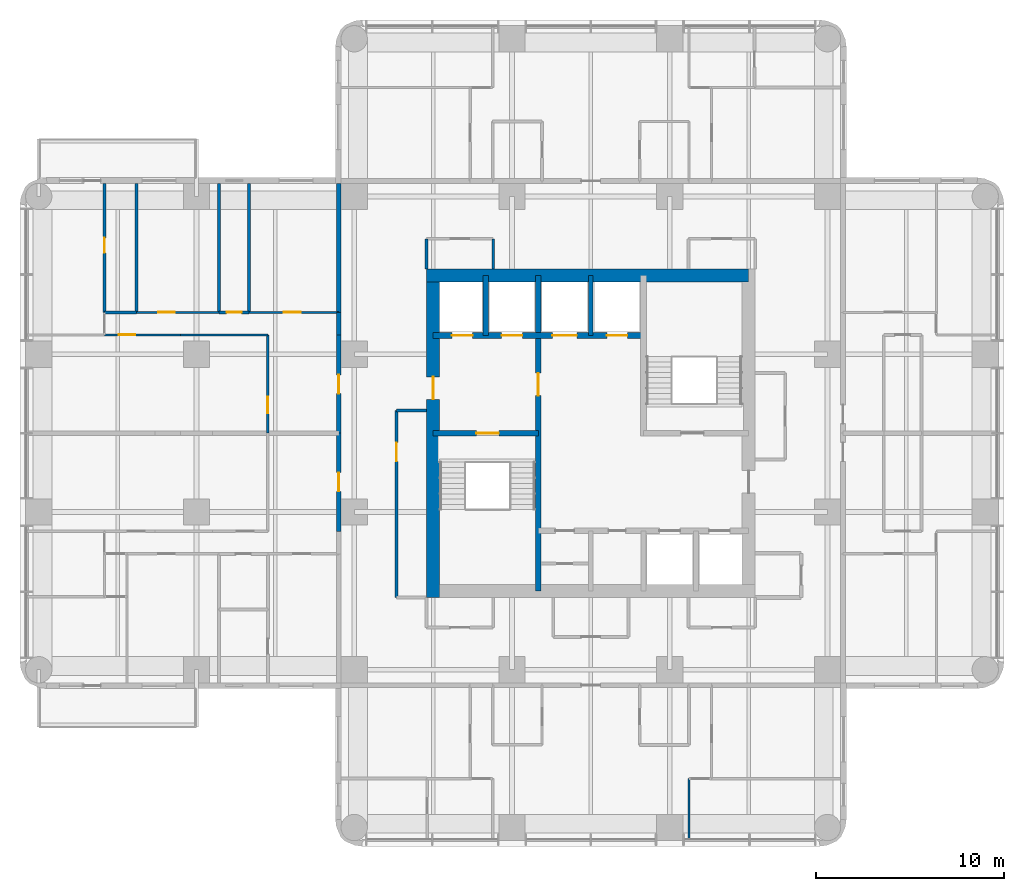
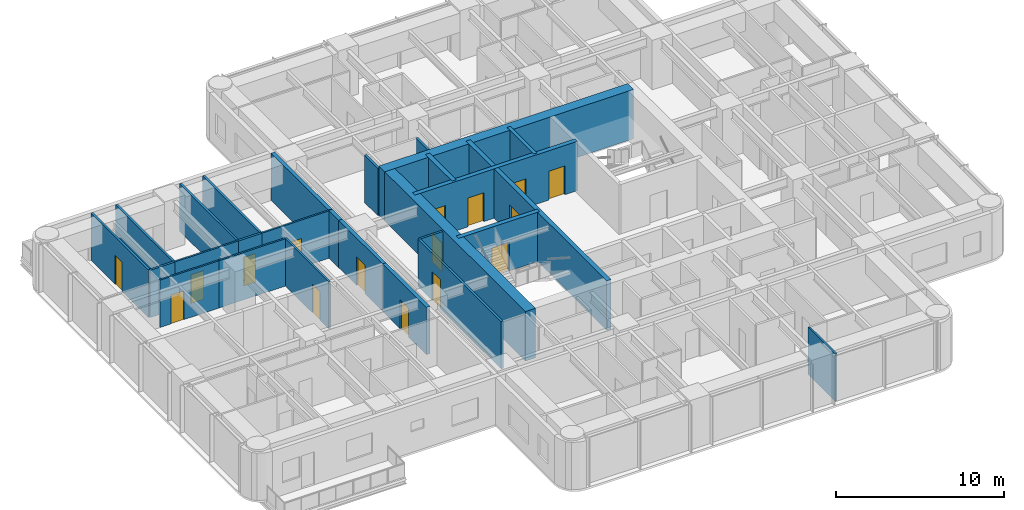
# One storey, part 6 of 11: 27 walls, 16 doors, 16 openings.
"""IFC4 building model written with IfcOpenShell, lengths in metres."""

from ifc_helpers import new_model, si_unit, direction, frame, frame_2d, origin, place, context, subcontext, project, spatial, rectangle, extrude, material, layer, layer_set, type_object, element, fill, save


model = new_model("IFC4")

# Units and contexts
model_context = context("Model", 3, precision=1e-05, world=origin(), true_north=direction((0.0, 1.0)))
body_context = subcontext(model_context, "Body", "Model", "MODEL_VIEW")
ifc_project = project(units=[si_unit("LENGTHUNIT", "METRE"), si_unit("AREAUNIT", "SQUARE_METRE"), si_unit("VOLUMEUNIT", "CUBIC_METRE"), si_unit("PLANEANGLEUNIT", "RADIAN"), si_unit("MASSUNIT", "GRAM", prefix="KILO")], contexts=[model_context])

# Site, building, storey
site_placement = place(None, origin())
site = spatial("IfcSite", under=ifc_project, at=site_placement, CompositionType="ELEMENT")
building_placement = place(site_placement, origin())
building = spatial("IfcBuilding", under=site, at=building_placement, Name="Torre Alcanfor", CompositionType="ELEMENT")
storey_placement = place(building_placement, frame((0.0, 0.0, 197.699951171875)))
storey = spatial("IfcBuildingStorey", under=building, at=storey_placement, Name="L51", CompositionType="ELEMENT", Elevation=197.699951171875)

# Wall, opening, door
ifc_material_1 = material(Name="Concrete block masonry, hollow blocks NMX-C-404 9 MPa", Category="masonry")
ifc_layer_1 = layer(ifc_material_1, 0.25)
ifc_layer_set_1 = layer_set([ifc_layer_1], Name="Apartment entrance wall 250 EI 60")
wall_type_1 = type_object("IfcWallType", Name="Apartment entrance wall 250 EI 60", PredefinedType="PARTITIONING", material=ifc_layer_set_1)
wall_1_placement = place(storey_placement, frame((15.97509765625, 24.1708984375, 0.0), z_axis=(0.0, 0.0, 1.0), x_axis=(0.0, 1.0, 0.0)))
wall_1 = element("IfcWall", 1, at=wall_1_placement, inside=storey, type_object=wall_type_1, Name="Partition L51-CORR / L51-W1-ZAG", PredefinedType="PARTITIONING", context=body_context, shape_type="SweptSolid", body=[
    extrude(rectangle(XDim=5.22900390625, YDim=0.25, at=frame_2d((2.614501953125, 0.0))), origin(), (0.0, 0.0, 1.0), 3.449951171875),
])
opening_1_placement = place(wall_1_placement, frame((2.12890625, 0.0, 0.0)))
opening_1 = element("IfcOpeningElement", 2, at=opening_1_placement, cuts=wall_1, Name="Opening D-A1", PredefinedType="OPENING", context=body_context, shape_type="SweptSolid", body=[
    extrude(rectangle(XDim=1.0, YDim=2.10009765625, at=frame_2d((0.5, 1.050048828125))), frame((0.0, 0.135009765625, 0.0), z_axis=(0.0, -1.0, 0.0), x_axis=(1.0, 0.0, 0.0)), (0.0, 0.0, 1.0), 0.27001953125),
])
ifc_material_2 = material(Name="Galvanised steel sheet ASTM A653", Category="steel")
door_type_1 = type_object("IfcDoorType", Name="Apartment entrance door FD60 1000x2100", OperationType="SINGLE_SWING_LEFT", PredefinedType="DOOR", material=ifc_material_2)
door_1_placement = place(opening_1_placement, origin())
door_1 = element("IfcDoor", 3, at=door_1_placement, inside=storey, type_object=door_type_1, Name="Apartment entrance L51-W1", OperationType="SINGLE_SWING_RIGHT", OverallHeight=2.10009765625, OverallWidth=1.0, PredefinedType="DOOR", context=body_context, shape_type="SweptSolid", body=[
    extrude(rectangle(XDim=1.0, YDim=2.10009765625, at=frame_2d((0.5, 1.050048828125))), frame((0.0, 0.02490234375, 0.0), z_axis=(0.0, -1.0, 0.0), x_axis=(1.0, 0.0, 0.0)), (0.0, 0.0, 1.0), 0.050048828125),
])
fill(opening_1, door_1)

wall_2_placement = place(storey_placement, frame((15.97509765625, 29.39990234375, 0.0), z_axis=(0.0, 0.0, 1.0), x_axis=(0.0, 1.0, 0.0)))
wall_2 = element("IfcWall", 4, at=wall_2_placement, inside=storey, type_object=wall_type_1, Name="Partition L51-CORR / L51-W2-ZAG", PredefinedType="PARTITIONING", context=body_context, shape_type="SweptSolid", body=[
    extrude(rectangle(XDim=5.22900390625, YDim=0.25, at=frame_2d((2.614501953125, 0.0))), origin(), (0.0, 0.0, 1.0), 3.449951171875),
])
opening_2_placement = place(wall_2_placement, frame((2.10009765625, 0.0, 0.0)))
opening_2 = element("IfcOpeningElement", 5, at=opening_2_placement, cuts=wall_2, Name="Opening D-A1", PredefinedType="OPENING", context=body_context, shape_type="SweptSolid", body=[
    extrude(rectangle(XDim=1.0, YDim=2.10009765625, at=frame_2d((0.5, 1.050048828125))), frame((0.0, 0.135009765625, 0.0), z_axis=(0.0, -1.0, 0.0), x_axis=(1.0, 0.0, 0.0)), (0.0, 0.0, 1.0), 0.27001953125),
])
door_2_placement = place(opening_2_placement, origin())
door_2 = element("IfcDoor", 6, at=door_2_placement, inside=storey, type_object=door_type_1, Name="Apartment entrance L51-W2", OperationType="SINGLE_SWING_LEFT", OverallHeight=2.10009765625, OverallWidth=1.0, PredefinedType="DOOR", context=body_context, shape_type="SweptSolid", body=[
    extrude(rectangle(XDim=1.0, YDim=2.10009765625, at=frame_2d((0.5, 1.050048828125))), frame((0.0, 0.02490234375, 0.0), z_axis=(0.0, -1.0, 0.0), x_axis=(1.0, 0.0, 0.0)), (0.0, 0.0, 1.0), 0.050048828125),
])
fill(opening_2, door_2)

# Walls
wall_3_placement = place(storey_placement, frame((15.97509765625, 34.62890625, 0.0), z_axis=(0.0, 0.0, 1.0), x_axis=(0.0, 1.0, 0.0)))
element("IfcWall", 7, at=wall_3_placement, inside=storey, type_object=wall_type_1, Name="Partition L51-CORR / L51-W2-HALL", PredefinedType="PARTITIONING", context=body_context, shape_type="SweptSolid", body=[
    extrude(rectangle(XDim=1.2001953125, YDim=0.25, at=frame_2d((0.60009765625, 0.0))), origin(), (0.0, 0.0, 1.0), 3.449951171875),
])
wall_4_placement = place(storey_placement, frame((15.97509765625, 35.8291015625, 0.0), z_axis=(0.0, 0.0, 1.0), x_axis=(0.0, 1.0, 0.0)))
element("IfcWall", 8, at=wall_4_placement, inside=storey, type_object=wall_type_1, Name="Partition L51-CORR / L51-W2-BED3", PredefinedType="PARTITIONING", context=body_context, shape_type="SweptSolid", body=[
    extrude(rectangle(XDim=6.870849609375, YDim=0.25, at=frame_2d((3.435546875, 0.0))), origin(), (0.0, 0.0, 1.0), 3.449951171875),
])
ifc_material_3 = material(Name="Gypsum board on steel studs", Category="steel")
ifc_layer_2 = layer(ifc_material_3, 0.1201171875)
ifc_layer_set_2 = layer_set([ifc_layer_2], Name="Apartment partition 120")
wall_type_2 = type_object("IfcWallType", Name="Apartment partition 120", PredefinedType="PARTITIONING", material=ifc_layer_set_2)
wall_5_placement = place(storey_placement, frame((34.62890625, 11.0, 0.0), z_axis=(0.0, 0.0, 1.0), x_axis=(0.0, -1.0, 0.0)))
element("IfcWall", 9, at=wall_5_placement, inside=storey, type_object=wall_type_2, Name="Partition L51-SX-LIVING / L51-SX-MASTER", PredefinedType="PARTITIONING", context=body_context, shape_type="SweptSolid", body=[
    extrude(rectangle(XDim=3.25, YDim=0.1201171875, at=frame_2d((1.625, 0.0))), origin(), (0.0, 0.0, 1.0), 3.449951171875),
])

# Wall, opening, door
wall_6_placement = place(storey_placement, frame((12.199951171875, 29.39990234375, 0.0), z_axis=(0.0, 0.0, 1.0), x_axis=(0.0, 1.0, 0.0)))
wall_6 = element("IfcWall", 10, at=wall_6_placement, inside=storey, type_object=wall_type_2, Name="Partition L51-W2-ZAG / L51-W2-KITCHEN", PredefinedType="PARTITIONING", context=body_context, shape_type="SweptSolid", body=[
    extrude(rectangle(XDim=5.22900390625, YDim=0.1201171875, at=frame_2d((2.614501953125, 0.0))), origin(), (0.0, 0.0, 1.0), 3.449951171875),
])
opening_3_placement = place(wall_6_placement, frame((1.050048828125, 0.0, 0.0)))
opening_3 = element("IfcOpeningElement", 11, at=opening_3_placement, cuts=wall_6, Name="Opening D-R1", PredefinedType="OPENING", context=body_context, shape_type="SweptSolid", body=[
    extrude(rectangle(XDim=0.89990234375, YDim=2.10009765625, at=frame_2d((0.449951171875, 1.050048828125))), frame((0.0, 0.070068359375, 0.0), z_axis=(0.0, -1.0, 0.0), x_axis=(1.0, 0.0, 0.0)), (0.0, 0.0, 1.0), 0.14013671875),
])
ifc_material_4 = material(Name="Timber", Category="wood")
door_type_2 = type_object("IfcDoorType", Name="Internal door 900x2100", OperationType="SINGLE_SWING_LEFT", PredefinedType="DOOR", material=ifc_material_4)
door_3_placement = place(opening_3_placement, origin())
door_3 = element("IfcDoor", 12, at=door_3_placement, inside=storey, type_object=door_type_2, Name="Door L51-W2 kitchen", OperationType="SINGLE_SWING_LEFT", OverallHeight=2.10009765625, OverallWidth=0.89990234375, PredefinedType="DOOR", context=body_context, shape_type="SweptSolid", body=[
    extrude(rectangle(XDim=0.89990234375, YDim=2.10009765625, at=frame_2d((0.449951171875, 1.050048828125))), frame((0.0, 0.02490234375, 0.0), z_axis=(0.0, -1.0, 0.0), x_axis=(1.0, 0.0, 0.0)), (0.0, 0.0, 1.0), 0.050048828125),
])
fill(opening_3, door_3)

# Wall
wall_7_placement = place(storey_placement, frame((7.550048828125, 34.62890625, 0.0), z_axis=(0.0, 0.0, 1.0), x_axis=(1.0, 0.0, 0.0)))
element("IfcWall", 13, at=wall_7_placement, inside=storey, type_object=wall_type_2, Name="Partition L51-W2-KITCHEN / L51-W2-HALL", PredefinedType="PARTITIONING", context=body_context, shape_type="SweptSolid", body=[
    extrude(rectangle(XDim=4.64990234375, YDim=0.1201171875, at=frame_2d((2.324951171875, 0.0))), origin(), (0.0, 0.0, 1.0), 3.449951171875),
])

# Wall, opening, door
wall_8_placement = place(storey_placement, frame((3.5, 34.62890625, 0.0), z_axis=(0.0, 0.0, 1.0), x_axis=(1.0, 0.0, 0.0)))
wall_8 = element("IfcWall", 14, at=wall_8_placement, inside=storey, type_object=wall_type_2, Name="Partition L51-W2-LIVING / L51-W2-HALL", PredefinedType="PARTITIONING", context=body_context, shape_type="SweptSolid", body=[
    extrude(rectangle(XDim=4.050048828125, YDim=0.1201171875, at=frame_2d((2.02490234375, 0.0))), origin(), (0.0, 0.0, 1.0), 3.449951171875),
])
opening_4_placement = place(wall_8_placement, frame((0.75, 0.0, 0.0)))
opening_4 = element("IfcOpeningElement", 15, at=opening_4_placement, cuts=wall_8, Name="Opening D-R1", PredefinedType="OPENING", context=body_context, shape_type="SweptSolid", body=[
    extrude(rectangle(XDim=0.89990234375, YDim=2.10009765625, at=frame_2d((0.449951171875, 1.050048828125))), frame((0.0, 0.070068359375, 0.0), z_axis=(0.0, -1.0, 0.0), x_axis=(1.0, 0.0, 0.0)), (0.0, 0.0, 1.0), 0.14013671875),
])
door_4_placement = place(opening_4_placement, frame((0.89990234375, 0.0, 0.0), z_axis=(0.0, 0.0, 1.0), x_axis=(-1.0, 0.0, 0.0)))
door_4 = element("IfcDoor", 16, at=door_4_placement, inside=storey, type_object=door_type_2, Name="Door L51-W2 living", OperationType="SINGLE_SWING_LEFT", OverallHeight=2.10009765625, OverallWidth=0.89990234375, PredefinedType="DOOR", context=body_context, shape_type="SweptSolid", body=[
    extrude(rectangle(XDim=0.89990234375, YDim=2.10009765625, at=frame_2d((0.449951171875, 1.050048828125))), frame((0.0, 0.025146484375, 0.0), z_axis=(0.0, -1.0, 0.0), x_axis=(1.0, 0.0, 0.0)), (0.0, 0.0, 1.0), 0.050048828125),
])
fill(opening_4, door_4)

wall_9_placement = place(storey_placement, frame((11.199951171875, 35.8291015625, 0.0), z_axis=(0.0, 0.0, 1.0), x_axis=(1.0, 0.0, 0.0)))
wall_9 = element("IfcWall", 17, at=wall_9_placement, inside=storey, type_object=wall_type_2, Name="Partition L51-W2-HALL / L51-W2-BED3", PredefinedType="PARTITIONING", context=body_context, shape_type="SweptSolid", body=[
    extrude(rectangle(XDim=4.775146484375, YDim=0.1201171875, at=frame_2d((2.3876953125, 0.0))), origin(), (0.0, 0.0, 1.0), 3.449951171875),
])
opening_5_placement = place(wall_9_placement, frame((1.85009765625, 0.0, 0.0)))
opening_5 = element("IfcOpeningElement", 18, at=opening_5_placement, cuts=wall_9, Name="Opening D-R1", PredefinedType="OPENING", context=body_context, shape_type="SweptSolid", body=[
    extrude(rectangle(XDim=0.89990234375, YDim=2.10009765625, at=frame_2d((0.449951171875, 1.050048828125))), frame((0.0, 0.070068359375, 0.0), z_axis=(0.0, -1.0, 0.0), x_axis=(1.0, 0.0, 0.0)), (0.0, 0.0, 1.0), 0.14013671875),
])
door_5_placement = place(opening_5_placement, origin())
door_5 = element("IfcDoor", 19, at=door_5_placement, inside=storey, type_object=door_type_2, Name="Door L51-W2 bed3", OperationType="SINGLE_SWING_LEFT", OverallHeight=2.10009765625, OverallWidth=0.89990234375, PredefinedType="DOOR", context=body_context, shape_type="SweptSolid", body=[
    extrude(rectangle(XDim=0.89990234375, YDim=2.10009765625, at=frame_2d((0.449951171875, 1.050048828125))), frame((0.0, 0.02490234375, 0.0), z_axis=(0.0, -1.0, 0.0), x_axis=(1.0, 0.0, 0.0)), (0.0, 0.0, 1.0), 0.050048828125),
])
fill(opening_5, door_5)

wall_10_placement = place(storey_placement, frame((5.199951171875, 35.8291015625, 0.0), z_axis=(0.0, 0.0, 1.0), x_axis=(1.0, 0.0, 0.0)))
wall_10 = element("IfcWall", 20, at=wall_10_placement, inside=storey, type_object=wall_type_2, Name="Partition L51-W2-HALL / L51-W2-BED2", PredefinedType="PARTITIONING", context=body_context, shape_type="SweptSolid", body=[
    extrude(rectangle(XDim=4.400146484375, YDim=0.1201171875, at=frame_2d((2.2001953125, 0.0))), origin(), (0.0, 0.0, 1.0), 3.449951171875),
])
opening_6_placement = place(wall_10_placement, frame((1.14990234375, 0.0, 0.0)))
opening_6 = element("IfcOpeningElement", 21, at=opening_6_placement, cuts=wall_10, Name="Opening D-R1", PredefinedType="OPENING", context=body_context, shape_type="SweptSolid", body=[
    extrude(rectangle(XDim=0.89990234375, YDim=2.10009765625, at=frame_2d((0.449951171875, 1.050048828125))), frame((0.0, 0.070068359375, 0.0), z_axis=(0.0, -1.0, 0.0), x_axis=(1.0, 0.0, 0.0)), (0.0, 0.0, 1.0), 0.14013671875),
])
door_6_placement = place(opening_6_placement, origin())
door_6 = element("IfcDoor", 22, at=door_6_placement, inside=storey, type_object=door_type_2, Name="Door L51-W2 bed2", OperationType="SINGLE_SWING_LEFT", OverallHeight=2.10009765625, OverallWidth=0.89990234375, PredefinedType="DOOR", context=body_context, shape_type="SweptSolid", body=[
    extrude(rectangle(XDim=0.89990234375, YDim=2.10009765625, at=frame_2d((0.449951171875, 1.050048828125))), frame((0.0, 0.02490234375, 0.0), z_axis=(0.0, -1.0, 0.0), x_axis=(1.0, 0.0, 0.0)), (0.0, 0.0, 1.0), 0.050048828125),
])
fill(opening_6, door_6)

ifc_material_5 = material(Name="Concrete f'c 70 MPa", Category="concrete")
ifc_layer_3 = layer(ifc_material_5, 0.300048828125)
ifc_layer_set_3 = layer_set([ifc_layer_3], Name="Core inner wall 300 f'c70")
wall_type_3 = type_object("IfcWallType", Name="Core inner wall 300 f'c70", PredefinedType="SHEAR", material=ifc_layer_set_3)
wall_11_placement = place(storey_placement, frame((26.60009765625, 21.0, 0.0), z_axis=(0.0, 0.0, 1.0), x_axis=(0.0, 1.0, 0.0)))
wall_11 = element("IfcWall", 23, at=wall_11_placement, inside=storey, type_object=wall_type_3, Name="Core wall X266 L51", PredefinedType="SHEAR", context=body_context, shape_type="SweptSolid", body=[
    extrude(rectangle(XDim=16.800048828125, YDim=0.300048828125, at=frame_2d((8.39990234375, 0.0))), origin(), (0.0, 0.0, 1.0), 3.60009765625),
])
opening_7_placement = place(wall_11_placement, frame((10.39990234375, 0.0, 0.0)))
opening_7 = element("IfcOpeningElement", 24, at=opening_7_placement, cuts=wall_11, Name="Opening D-L1", PredefinedType="OPENING", context=body_context, shape_type="SweptSolid", body=[
    extrude(rectangle(XDim=1.199951171875, YDim=2.10009765625, at=frame_2d((0.60009765625, 1.050048828125))), frame((0.0, 0.159912109375, 0.0), z_axis=(0.0, -1.0, 0.0), x_axis=(1.0, 0.0, 0.0)), (0.0, 0.0, 1.0), 0.320068359375),
])
ifc_material_6 = material(Name="Galvanised steel sheet ASTM A653", Category="steel")
door_type_3 = type_object("IfcDoorType", Name="Lobby door FD120 1200x2100", OperationType="SINGLE_SWING_LEFT", PredefinedType="DOOR", material=ifc_material_6)
door_7_placement = place(opening_7_placement, origin())
door_7 = element("IfcDoor", 25, at=door_7_placement, inside=storey, type_object=door_type_3, Name="Lift lobby door L51", OperationType="SINGLE_SWING_LEFT", OverallHeight=2.10009765625, OverallWidth=1.199951171875, PredefinedType="DOOR", context=body_context, shape_type="SweptSolid", body=[
    extrude(rectangle(XDim=1.199951171875, YDim=2.10009765625, at=frame_2d((0.60009765625, 1.050048828125))), frame((0.0, 0.02490234375, 0.0), z_axis=(0.0, -1.0, 0.0), x_axis=(1.0, 0.0, 0.0)), (0.0, 0.0, 1.0), 0.050048828125),
])
fill(opening_7, door_7)

wall_12_placement = place(storey_placement, frame((21.0, 29.39990234375, 0.0), z_axis=(0.0, 0.0, 1.0), x_axis=(1.0, 0.0, 0.0)))
wall_12 = element("IfcWall", 26, at=wall_12_placement, inside=storey, type_object=wall_type_3, Name="Core wall Y294W L51", PredefinedType="SHEAR", context=body_context, shape_type="SweptSolid", body=[
    extrude(rectangle(XDim=5.60009765625, YDim=0.300048828125, at=frame_2d((2.800048828125, 0.0))), origin(), (0.0, 0.0, 1.0), 3.60009765625),
])
opening_8_placement = place(wall_12_placement, frame((2.300048828125, 0.0, 0.0)))
opening_8 = element("IfcOpeningElement", 27, at=opening_8_placement, cuts=wall_12, Name="Opening D-S2", PredefinedType="OPENING", context=body_context, shape_type="SweptSolid", body=[
    extrude(rectangle(XDim=1.199951171875, YDim=2.10009765625, at=frame_2d((0.60009765625, 1.050048828125))), frame((0.0, 0.159912109375, 0.0), z_axis=(0.0, -1.0, 0.0), x_axis=(1.0, 0.0, 0.0)), (0.0, 0.0, 1.0), 0.320068359375),
])
ifc_material_7 = material(Name="Galvanised steel sheet ASTM A653", Category="steel")
door_type_4 = type_object("IfcDoorType", Name="Stair enclosure door FD120 1200x2100", OperationType="SINGLE_SWING_LEFT", PredefinedType="DOOR", material=ifc_material_7)
door_8_placement = place(opening_8_placement, frame((1.199951171875, 0.0, 0.0), z_axis=(0.0, 0.0, 1.0), x_axis=(-1.0, 0.0, 0.0)))
door_8 = element("IfcDoor", 28, at=door_8_placement, inside=storey, type_object=door_type_4, Name="Stair S1 door L51", OperationType="SINGLE_SWING_LEFT", OverallHeight=2.10009765625, OverallWidth=1.199951171875, PredefinedType="DOOR", context=body_context, shape_type="SweptSolid", body=[
    extrude(rectangle(XDim=1.199951171875, YDim=2.10009765625, at=frame_2d((0.599853515625, 1.050048828125))), frame((0.0, 0.025146484375, 0.0), z_axis=(0.0, -1.0, 0.0), x_axis=(1.0, 0.0, 0.0)), (0.0, 0.0, 1.0), 0.050048828125),
])
fill(opening_8, door_8)

# Wall, openings, doors
wall_13_placement = place(storey_placement, frame((21.0, 34.60009765625, 0.0), z_axis=(0.0, 0.0, 1.0), x_axis=(1.0, 0.0, 0.0)))
wall_13 = element("IfcWall", 29, at=wall_13_placement, inside=storey, type_object=wall_type_3, Name="Core wall Y346 L51", PredefinedType="SHEAR", context=body_context, shape_type="SweptSolid", body=[
    extrude(rectangle(XDim=11.199951171875, YDim=0.300048828125, at=frame_2d((5.60009765625, 0.0))), origin(), (0.0, 0.0, 1.0), 3.60009765625),
])
opening_9_placement = place(wall_13_placement, frame((9.25, 0.0, 0.0)))
opening_9 = element("IfcOpeningElement", 30, at=opening_9_placement, cuts=wall_13, Name="Opening LD1", PredefinedType="OPENING", context=body_context, shape_type="SweptSolid", body=[
    extrude(rectangle(XDim=1.10009765625, YDim=2.10009765625, at=frame_2d((0.550048828125, 1.050048828125))), frame((0.0, 0.159912109375, 0.0), z_axis=(0.0, -1.0, 0.0), x_axis=(1.0, 0.0, 0.0)), (0.0, 0.0, 1.0), 0.320068359375),
])
opening_10_placement = place(wall_13_placement, frame((1.0, 0.0, 0.0)))
opening_10 = element("IfcOpeningElement", 31, at=opening_10_placement, cuts=wall_13, Name="Opening LD2", PredefinedType="OPENING", context=body_context, shape_type="SweptSolid", body=[
    extrude(rectangle(XDim=1.10009765625, YDim=2.10009765625, at=frame_2d((0.550048828125, 1.050048828125))), frame((0.0, 0.159912109375, 0.0), z_axis=(0.0, -1.0, 0.0), x_axis=(1.0, 0.0, 0.0)), (0.0, 0.0, 1.0), 0.320068359375),
])
opening_11_placement = place(wall_13_placement, frame((3.64990234375, 0.0, 0.0)))
opening_11 = element("IfcOpeningElement", 32, at=opening_11_placement, cuts=wall_13, Name="Opening LD2", PredefinedType="OPENING", context=body_context, shape_type="SweptSolid", body=[
    extrude(rectangle(XDim=1.10009765625, YDim=2.10009765625, at=frame_2d((0.550048828125, 1.050048828125))), frame((0.0, 0.159912109375, 0.0), z_axis=(0.0, -1.0, 0.0), x_axis=(1.0, 0.0, 0.0)), (0.0, 0.0, 1.0), 0.320068359375),
])
opening_12_placement = place(wall_13_placement, frame((6.35009765625, 0.0, 0.0)))
opening_12 = element("IfcOpeningElement", 33, at=opening_12_placement, cuts=wall_13, Name="Opening LD3", PredefinedType="OPENING", context=body_context, shape_type="SweptSolid", body=[
    extrude(rectangle(XDim=1.300048828125, YDim=2.10009765625, at=frame_2d((0.64990234375, 1.050048828125))), frame((0.0, 0.159912109375, 0.0), z_axis=(0.0, -1.0, 0.0), x_axis=(1.0, 0.0, 0.0)), (0.0, 0.0, 1.0), 0.320068359375),
])
ifc_material_8 = material(Name="Galvanised steel sheet ASTM A653", Category="steel")
door_type_5 = type_object("IfcDoorType", Name="Firefighting lift landing door 1100x2100", OperationType="DOUBLE_DOOR_SLIDING", PredefinedType="DOOR", material=ifc_material_8)
door_9_placement = place(opening_10_placement, origin())
door_9 = element("IfcDoor", 34, at=door_9_placement, inside=storey, type_object=door_type_5, Name="Lift landing door FL1 L51", OperationType="DOUBLE_DOOR_SLIDING", OverallHeight=2.10009765625, OverallWidth=1.10009765625, PredefinedType="DOOR", context=body_context, shape_type="SweptSolid", body=[
    extrude(rectangle(XDim=1.10009765625, YDim=2.10009765625, at=frame_2d((0.550048828125, 1.050048828125))), frame((0.0, 0.02490234375, 0.0), z_axis=(0.0, -1.0, 0.0), x_axis=(1.0, 0.0, 0.0)), (0.0, 0.0, 1.0), 0.050048828125),
])
fill(opening_10, door_9)
door_10_placement = place(opening_11_placement, origin())
door_10 = element("IfcDoor", 35, at=door_10_placement, inside=storey, type_object=door_type_5, Name="Lift landing door FL2 L51", OperationType="DOUBLE_DOOR_SLIDING", OverallHeight=2.10009765625, OverallWidth=1.10009765625, PredefinedType="DOOR", context=body_context, shape_type="SweptSolid", body=[
    extrude(rectangle(XDim=1.10009765625, YDim=2.10009765625, at=frame_2d((0.550048828125, 1.050048828125))), frame((0.0, 0.02490234375, 0.0), z_axis=(0.0, -1.0, 0.0), x_axis=(1.0, 0.0, 0.0)), (0.0, 0.0, 1.0), 0.050048828125),
])
fill(opening_11, door_10)
ifc_material_9 = material(Name="Galvanised steel sheet ASTM A653", Category="steel")
door_type_6 = type_object("IfcDoorType", Name="Lift landing door 1100x2100", OperationType="DOUBLE_DOOR_SLIDING", PredefinedType="DOOR", material=ifc_material_9)
door_11_placement = place(opening_9_placement, origin())
door_11 = element("IfcDoor", 36, at=door_11_placement, inside=storey, type_object=door_type_6, Name="Lift landing door PA5 L51", OperationType="DOUBLE_DOOR_SLIDING", OverallHeight=2.10009765625, OverallWidth=1.10009765625, PredefinedType="DOOR", context=body_context, shape_type="SweptSolid", body=[
    extrude(rectangle(XDim=1.10009765625, YDim=2.10009765625, at=frame_2d((0.550048828125, 1.050048828125))), frame((0.0, 0.02490234375, 0.0), z_axis=(0.0, -1.0, 0.0), x_axis=(1.0, 0.0, 0.0)), (0.0, 0.0, 1.0), 0.050048828125),
])
fill(opening_9, door_11)
ifc_material_10 = material(Name="Galvanised steel sheet ASTM A653", Category="steel")
door_type_7 = type_object("IfcDoorType", Name="Service lift landing door 1300x2100", OperationType="DOUBLE_DOOR_SLIDING", PredefinedType="DOOR", material=ifc_material_10)
door_12_placement = place(opening_12_placement, origin())
door_12 = element("IfcDoor", 37, at=door_12_placement, inside=storey, type_object=door_type_7, Name="Lift landing door SL1 L51", OperationType="DOUBLE_DOOR_SLIDING", OverallHeight=2.10009765625, OverallWidth=1.300048828125, PredefinedType="DOOR", context=body_context, shape_type="SweptSolid", body=[
    extrude(rectangle(XDim=1.300048828125, YDim=2.10009765625, at=frame_2d((0.64990234375, 1.050048828125))), frame((0.0, 0.02490234375, 0.0), z_axis=(0.0, -1.0, 0.0), x_axis=(1.0, 0.0, 0.0)), (0.0, 0.0, 1.0), 0.050048828125),
])
fill(opening_12, door_12)

# Walls
wall_14_placement = place(storey_placement, frame((23.800048828125, 34.60009765625, 0.0), z_axis=(0.0, 0.0, 1.0), x_axis=(0.0, 1.0, 0.0)))
element("IfcWall", 38, at=wall_14_placement, inside=storey, type_object=wall_type_3, Name="Core wall X238 L51", PredefinedType="SHEAR", context=body_context, shape_type="SweptSolid", body=[
    extrude(rectangle(XDim=3.199951171875, YDim=0.300048828125, at=frame_2d((1.60009765625, 0.0))), origin(), (0.0, 0.0, 1.0), 3.60009765625),
])
ifc_material_11 = material(Name="Concrete f'c 70 MPa", Category="concrete")
ifc_layer_4 = layer(ifc_material_11, 0.25)
ifc_layer_set_4 = layer_set([ifc_layer_4], Name="Core shaft wall 250 f'c70")
wall_type_4 = type_object("IfcWallType", Name="Core shaft wall 250 f'c70", PredefinedType="SHEAR", material=ifc_layer_set_4)
wall_15_placement = place(storey_placement, frame((29.39990234375, 34.60009765625, 0.0), z_axis=(0.0, 0.0, 1.0), x_axis=(0.0, 1.0, 0.0)))
element("IfcWall", 39, at=wall_15_placement, inside=storey, type_object=wall_type_4, Name="Core wall X294N L51", PredefinedType="SHEAR", context=body_context, shape_type="SweptSolid", body=[
    extrude(rectangle(XDim=3.199951171875, YDim=0.25, at=frame_2d((1.60009765625, 0.0))), origin(), (0.0, 0.0, 1.0), 3.60009765625),
])
ifc_material_12 = material(Name="Concrete f'c 70 MPa", Category="concrete")
ifc_layer_5 = layer(ifc_material_12, 0.699951171875)
ifc_layer_set_5 = layer_set([ifc_layer_5], Name="Core wall 700 f'c70")
wall_type_5 = type_object("IfcWallType", Name="Core wall 700 f'c70", PredefinedType="SHEAR", material=ifc_layer_set_5)
wall_16_placement = place(storey_placement, frame((37.800048828125, 37.800048828125, 0.0), z_axis=(0.0, 0.0, 1.0), x_axis=(-1.0, 0.0, 0.0)))
element("IfcWall", 40, at=wall_16_placement, inside=storey, type_object=wall_type_5, Name="Core wall OUT-N L51", PredefinedType="SHEAR", context=body_context, shape_type="SweptSolid", body=[
    extrude(rectangle(XDim=17.150146484375, YDim=0.699951171875, at=frame_2d((8.5751953125, 0.0))), origin(), (0.0, 0.0, 1.0), 3.60009765625),
])

# Wall, opening, door
wall_17_placement = place(storey_placement, frame((21.0, 37.800048828125, 0.0), z_axis=(0.0, 0.0, 1.0), x_axis=(0.0, -1.0, 0.0)))
wall_17 = element("IfcWall", 41, at=wall_17_placement, inside=storey, type_object=wall_type_5, Name="Core wall OUT-W L51", PredefinedType="SHEAR", context=body_context, shape_type="SweptSolid", body=[
    extrude(rectangle(XDim=17.150146484375, YDim=0.699951171875, at=frame_2d((8.5751953125, 0.0))), origin(), (0.0, 0.0, 1.0), 3.60009765625),
])
opening_13_placement = place(wall_17_placement, frame((5.39990234375, 0.0, 0.0)))
opening_13 = element("IfcOpeningElement", 42, at=opening_13_placement, cuts=wall_17, Name="Opening D-L1", PredefinedType="OPENING", context=body_context, shape_type="SweptSolid", body=[
    extrude(rectangle(XDim=1.199951171875, YDim=2.10009765625, at=frame_2d((0.60009765625, 1.050048828125))), frame((0.0, 0.35986328125, 0.0), z_axis=(0.0, -1.0, 0.0), x_axis=(1.0, 0.0, 0.0)), (0.0, 0.0, 1.0), 0.719970703125),
])
door_13_placement = place(opening_13_placement, origin())
door_13 = element("IfcDoor", 43, at=door_13_placement, inside=storey, type_object=door_type_3, Name="Firefighting lobby door L51", OperationType="SINGLE_SWING_LEFT", OverallHeight=2.10009765625, OverallWidth=1.199951171875, PredefinedType="DOOR", context=body_context, shape_type="SweptSolid", body=[
    extrude(rectangle(XDim=1.199951171875, YDim=2.10009765625, at=frame_2d((0.60009765625, 1.050048828125))), frame((0.0, 0.02490234375, 0.0), z_axis=(0.0, -1.0, 0.0), x_axis=(1.0, 0.0, 0.0)), (0.0, 0.0, 1.0), 0.050048828125),
])
fill(opening_13, door_13)

# Walls
ifc_material_13 = material(Name="Concrete block masonry, hollow blocks NMX-C-404 9 MPa", Category="masonry")
ifc_layer_6 = layer(ifc_material_13, 0.14990234375)
ifc_layer_set_6 = layer_set([ifc_layer_6], Name="Residents' room partition 150")
wall_type_6 = type_object("IfcWallType", Name="Residents' room partition 150", PredefinedType="PARTITIONING", material=ifc_layer_set_6)
for number, where, z_axis, x_axis, name in (
    (44, (24.199951171875, 38.14990234375, 0.0), (0.0, 0.0, 1.0), (0.0, 1.0, 0.0), "Partition L51-CORR / L51-G01"),
    (45, (20.64990234375, 39.75, 0.0), (0.0, 0.0, 1.0), (0.0, -1.0, 0.0), "Partition L51-CORR / L51-G01"),
):
    element("IfcWall", number, at=place(storey_placement, frame(where, z_axis=z_axis, x_axis=x_axis)), inside=storey, type_object=wall_type_6, Name=name, PredefinedType="PARTITIONING", context=body_context, shape_type="SweptSolid", body=[
        extrude(rectangle(XDim=1.60009765625, YDim=0.14990234375, at=frame_2d((0.800048828125, 0.0))), origin(), (0.0, 0.0, 1.0), 3.449951171875),
    ])
wall_18_placement = place(storey_placement, frame((20.64990234375, 30.60009765625, 0.0), z_axis=(0.0, 0.0, 1.0), x_axis=(-1.0, 0.0, 0.0)))
element("IfcWall", 46, at=wall_18_placement, inside=storey, type_object=wall_type_6, Name="Partition L51-CORR / L51-G08", PredefinedType="PARTITIONING", context=body_context, shape_type="SweptSolid", body=[
    extrude(rectangle(XDim=1.599853515625, YDim=0.14990234375, at=frame_2d((0.7998046875, 0.0))), origin(), (0.0, 0.0, 1.0), 3.449951171875),
])

# Wall, opening, door
wall_19_placement = place(storey_placement, frame((19.050048828125, 30.60009765625, 0.0), z_axis=(0.0, 0.0, 1.0), x_axis=(0.0, -1.0, 0.0)))
wall_19 = element("IfcWall", 47, at=wall_19_placement, inside=storey, type_object=wall_type_6, Name="Partition L51-CORR / L51-G08", PredefinedType="PARTITIONING", context=body_context, shape_type="SweptSolid", body=[
    extrude(rectangle(XDim=9.9501953125, YDim=0.14990234375, at=frame_2d((4.97509765625, 0.0))), origin(), (0.0, 0.0, 1.0), 3.449951171875),
])
opening_14_placement = place(wall_19_placement, frame((1.699951171875, 0.0, 0.0)))
opening_14 = element("IfcOpeningElement", 48, at=opening_14_placement, cuts=wall_19, Name="Opening D-M1", PredefinedType="OPENING", context=body_context, shape_type="SweptSolid", body=[
    extrude(rectangle(XDim=1.0, YDim=2.10009765625, at=frame_2d((0.5, 1.050048828125))), frame((0.0, 0.0849609375, 0.0), z_axis=(0.0, -1.0, 0.0), x_axis=(1.0, 0.0, 0.0)), (0.0, 0.0, 1.0), 0.169921875),
])
ifc_material_14 = material(Name="Timber", Category="wood")
door_type_8 = type_object("IfcDoorType", Name="Residents' room door 1000x2100", OperationType="SINGLE_SWING_LEFT", PredefinedType="DOOR", material=ifc_material_14)
door_14_placement = place(opening_14_placement, origin())
door_14 = element("IfcDoor", 49, at=door_14_placement, inside=storey, type_object=door_type_8, Name="Door L51-G08 residents' lockers", OperationType="SINGLE_SWING_LEFT", OverallHeight=2.10009765625, OverallWidth=1.0, PredefinedType="DOOR", context=body_context, shape_type="SweptSolid", body=[
    extrude(rectangle(XDim=1.0, YDim=2.10009765625, at=frame_2d((0.5, 1.050048828125))), frame((0.0, 0.02490234375, 0.0), z_axis=(0.0, -1.0, 0.0), x_axis=(1.0, 0.0, 0.0)), (0.0, 0.0, 1.0), 0.050048828125),
])
fill(opening_14, door_14)

ifc_material_15 = material(Name="Cement board on steel studs", Category="steel")
ifc_layer_7 = layer(ifc_material_15, 0.14990234375)
ifc_layer_set_7 = layer_set([ifc_layer_7], Name="Wet area partition 150")
wall_type_7 = type_object("IfcWallType", Name="Wet area partition 150", PredefinedType="PARTITIONING", material=ifc_layer_set_7)
wall_20_placement = place(storey_placement, frame((9.60009765625, 35.8291015625, 0.0), z_axis=(0.0, 0.0, 1.0), x_axis=(1.0, 0.0, 0.0)))
wall_20 = element("IfcWall", 50, at=wall_20_placement, inside=storey, type_object=wall_type_7, Name="Partition L51-W2-HALL / L51-W2-BATH1", PredefinedType="PARTITIONING", context=body_context, shape_type="SweptSolid", body=[
    extrude(rectangle(XDim=1.599853515625, YDim=0.14990234375, at=frame_2d((0.7998046875, 0.0))), origin(), (0.0, 0.0, 1.0), 3.449951171875),
])
opening_15_placement = place(wall_20_placement, frame((0.39990234375, 0.0, 0.0)))
opening_15 = element("IfcOpeningElement", 51, at=opening_15_placement, cuts=wall_20, Name="Opening D-R2", PredefinedType="OPENING", context=body_context, shape_type="SweptSolid", body=[
    extrude(rectangle(XDim=0.800048828125, YDim=2.10009765625, at=frame_2d((0.39990234375, 1.050048828125))), frame((0.0, 0.0849609375, 0.0), z_axis=(0.0, -1.0, 0.0), x_axis=(1.0, 0.0, 0.0)), (0.0, 0.0, 1.0), 0.169921875),
])
ifc_material_16 = material(Name="Timber", Category="wood")
door_type_9 = type_object("IfcDoorType", Name="Bathroom door 800x2100", OperationType="SINGLE_SWING_LEFT", PredefinedType="DOOR", material=ifc_material_16)
door_15_placement = place(opening_15_placement, origin())
door_15 = element("IfcDoor", 52, at=door_15_placement, inside=storey, type_object=door_type_9, Name="Door L51-W2 bath1", OperationType="SINGLE_SWING_LEFT", OverallHeight=2.10009765625, OverallWidth=0.800048828125, PredefinedType="DOOR", context=body_context, shape_type="SweptSolid", body=[
    extrude(rectangle(XDim=0.800048828125, YDim=2.10009765625, at=frame_2d((0.39990234375, 1.050048828125))), frame((0.0, 0.02490234375, 0.0), z_axis=(0.0, -1.0, 0.0), x_axis=(1.0, 0.0, 0.0)), (0.0, 0.0, 1.0), 0.050048828125),
])
fill(opening_15, door_15)

# Walls
wall_21_placement = place(storey_placement, frame((3.5, 35.8291015625, 0.0), z_axis=(0.0, 0.0, 1.0), x_axis=(1.0, 0.0, 0.0)))
element("IfcWall", 53, at=wall_21_placement, inside=storey, type_object=wall_type_7, Name="Partition L51-W2-HALL / L51-W2-ENSBATH", PredefinedType="PARTITIONING", context=body_context, shape_type="SweptSolid", body=[
    extrude(rectangle(XDim=1.699951171875, YDim=0.14990234375, at=frame_2d((0.85009765625, 0.0))), origin(), (0.0, 0.0, 1.0), 3.449951171875),
])
for number, where, z_axis, x_axis, name in (
    (54, (11.199951171875, 35.8291015625, 0.0), (0.0, 0.0, 1.0), (0.0, 1.0, 0.0), "Partition L51-W2-BED3 / L51-W2-BATH1"),
    (55, (9.60009765625, 35.8291015625, 0.0), (0.0, 0.0, 1.0), (0.0, 1.0, 0.0), "Partition L51-W2-BATH1 / L51-W2-BED2"),
    (56, (5.199951171875, 35.8291015625, 0.0), (0.0, 0.0, 1.0), (0.0, 1.0, 0.0), "Partition L51-W2-BED2 / L51-W2-ENSBATH"),
):
    element("IfcWall", number, at=place(storey_placement, frame(where, z_axis=z_axis, x_axis=x_axis)), inside=storey, type_object=wall_type_7, Name=name, PredefinedType="PARTITIONING", context=body_context, shape_type="SweptSolid", body=[
        extrude(rectangle(XDim=6.870849609375, YDim=0.14990234375, at=frame_2d((3.435546875, 0.0))), origin(), (0.0, 0.0, 1.0), 3.449951171875),
    ])

# Wall, opening, door
wall_22_placement = place(storey_placement, frame((3.5, 35.8291015625, 0.0), z_axis=(0.0, 0.0, 1.0), x_axis=(0.0, 1.0, 0.0)))
wall_22 = element("IfcWall", 57, at=wall_22_placement, inside=storey, type_object=wall_type_7, Name="Partition L51-W2-ENSBATH / L51-W2-MASTER", PredefinedType="PARTITIONING", context=body_context, shape_type="SweptSolid", body=[
    extrude(rectangle(XDim=6.870849609375, YDim=0.14990234375, at=frame_2d((3.435546875, 0.0))), origin(), (0.0, 0.0, 1.0), 3.449951171875),
])
opening_16_placement = place(wall_22_placement, frame((3.1708984375, 0.0, 0.0)))
opening_16 = element("IfcOpeningElement", 58, at=opening_16_placement, cuts=wall_22, Name="Opening D-R2", PredefinedType="OPENING", context=body_context, shape_type="SweptSolid", body=[
    extrude(rectangle(XDim=0.800048828125, YDim=2.10009765625, at=frame_2d((0.39990234375, 1.050048828125))), frame((0.0, 0.0849609375, 0.0), z_axis=(0.0, -1.0, 0.0), x_axis=(1.0, 0.0, 0.0)), (0.0, 0.0, 1.0), 0.169921875),
])
door_16_placement = place(opening_16_placement, frame((0.800048828125, 0.0, 0.0), z_axis=(0.0, 0.0, 1.0), x_axis=(-1.0, 0.0, 0.0)))
door_16 = element("IfcDoor", 59, at=door_16_placement, inside=storey, type_object=door_type_9, Name="Door L51-W2 ensbath", OperationType="SINGLE_SWING_LEFT", OverallHeight=2.10009765625, OverallWidth=0.800048828125, PredefinedType="DOOR", context=body_context, shape_type="SweptSolid", body=[
    extrude(rectangle(XDim=0.800048828125, YDim=2.10009765625, at=frame_2d((0.400146484375, 1.050048828125))), frame((0.0, 0.025146484375, 0.0), z_axis=(0.0, -1.0, 0.0), x_axis=(1.0, 0.0, 0.0)), (0.0, 0.0, 1.0), 0.050048828125),
])
fill(opening_16, door_16)

save(model, "model.ifc")
